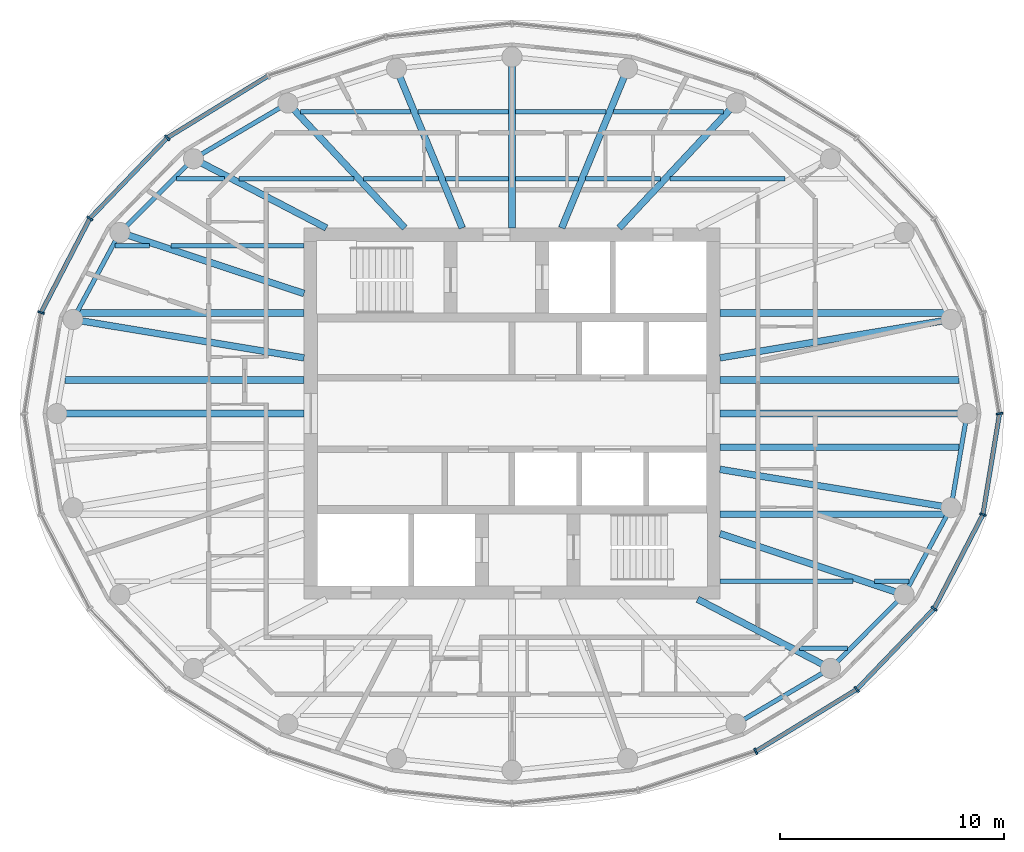
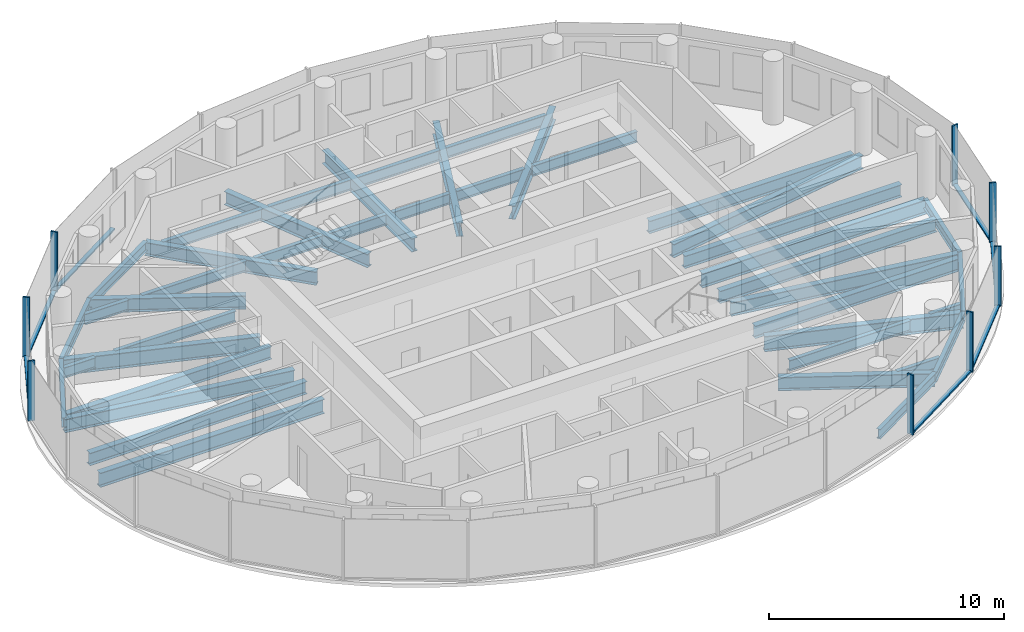
# One storey, part 2 of 11: 43 beams, 15 members, 3 elements without a shape of their own.
"""IFC4 building model written with IfcOpenShell, lengths in metres."""

from ifc_helpers import new_model, si_unit, direction, frame, origin, origin_2d, place, context, subcontext, project, spatial, rectangle, i_section, extrude, material, material_profile, profile_set, type_object, element, aggregate, save


model = new_model("IFC4")

# Units and contexts
model_context = context("Model", 3, precision=1e-05, world=origin(), true_north=direction((0.0, 1.0)))
body_context = subcontext(model_context, "Body", "Model", "MODEL_VIEW")
ifc_project = project(units=[si_unit("LENGTHUNIT", "METRE"), si_unit("AREAUNIT", "SQUARE_METRE"), si_unit("VOLUMEUNIT", "CUBIC_METRE"), si_unit("PLANEANGLEUNIT", "RADIAN"), si_unit("MASSUNIT", "GRAM", prefix="KILO")], contexts=[model_context])

# Site, building, storey
site_placement = place(None, origin())
site = spatial("IfcSite", under=ifc_project, at=site_placement, CompositionType="ELEMENT")
building_placement = place(site_placement, origin())
building = spatial("IfcBuilding", under=site, at=building_placement, Name="Hankou Lantern Tower", CompositionType="ELEMENT")
storey_placement = place(building_placement, frame((0.0, 0.0, 199.5)))
storey = spatial("IfcBuildingStorey", under=building, at=storey_placement, Name="L53", CompositionType="ELEMENT", Elevation=199.5)

# Beams
ifc_material_1 = material(Name="Steel Q355B", Category="steel")
ifc_material_profile_1 = material_profile(ifc_material_1, i_section(OverallWidth=0.199951171875, OverallDepth=0.5, WebThickness=0.010009765625, FlangeThickness=0.01611328125, FilletRadius=0.012939453125, at=origin_2d()), Name="HN500x200x10x16")
ifc_profile_set_1 = profile_set([ifc_material_profile_1], Name="Steel Q355B")
beam_type_1 = type_object("IfcBeamType", Name="EB5 RING BEAM HN500x200x10x16", PredefinedType="SPANDREL", material=ifc_profile_set_1)
beam_1_placement = place(storey_placement, frame((-10.01904296875, 13.8828125, -0.429931640625), z_axis=(-0.861422897323, -0.507888365655, 0.0), x_axis=(0.507888365655, -0.861422897323, 0.0)))
element("IfcBeam", 1, at=beam_1_placement, inside=storey, type_object=beam_type_1, Name="Ring beam R09-R10 L53", PredefinedType="SPANDREL", context=body_context, shape_type="SweptSolid", body=[
    extrude(i_section(OverallWidth=0.199951171875, OverallDepth=0.5, WebThickness=0.010009765625, FlangeThickness=0.01611328125, FilletRadius=0.012939453125, at=origin_2d()), origin(), (0.0, 0.0, 1.0), 4.901611328125),
])
beam_2_placement = place(storey_placement, frame((-14.241455078125, 11.393310546875, -0.429931640625), z_axis=(-0.706608588034, -0.707604623583, 0.0), x_axis=(0.707604623583, -0.706608588034, 0.0)))
element("IfcBeam", 2, at=beam_2_placement, inside=storey, type_object=beam_type_1, Name="Ring beam R10-R11 L53", PredefinedType="SPANDREL", context=body_context, shape_type="SweptSolid", body=[
    extrude(i_section(OverallWidth=0.199951171875, OverallDepth=0.5, WebThickness=0.010009765625, FlangeThickness=0.01611328125, FilletRadius=0.012939453125, at=origin_2d()), origin(), (0.0, 0.0, 1.0), 4.6572265625),
])
beam_3_placement = place(storey_placement, frame((-17.5322265625, 8.097900390625, -0.429931640625), z_axis=(-0.474491806611, -0.880259919262, 0.0), x_axis=(0.880259919262, -0.474491806611, 0.0)))
element("IfcBeam", 3, at=beam_3_placement, inside=storey, type_object=beam_type_1, Name="Ring beam R11-R12 L53", PredefinedType="SPANDREL", context=body_context, shape_type="SweptSolid", body=[
    extrude(i_section(OverallWidth=0.199951171875, OverallDepth=0.5, WebThickness=0.010009765625, FlangeThickness=0.01611328125, FilletRadius=0.012939453125, at=origin_2d()), origin(), (0.0, 0.0, 1.0), 4.419189453125),
])
beam_4_placement = place(storey_placement, frame((10.01904296875, -13.8828125, -0.429931640625), z_axis=(0.861422897323, 0.507888365655, 0.0), x_axis=(-0.507888365655, 0.861422897323, 0.0)))
element("IfcBeam", 4, at=beam_4_placement, inside=storey, type_object=beam_type_1, Name="Ring beam R21-R22 L53", PredefinedType="SPANDREL", context=body_context, shape_type="SweptSolid", body=[
    extrude(i_section(OverallWidth=0.199951171875, OverallDepth=0.5, WebThickness=0.010009765625, FlangeThickness=0.01611328125, FilletRadius=0.012939453125, at=origin_2d()), origin(), (0.0, 0.0, 1.0), 4.901611328125),
])
beam_5_placement = place(storey_placement, frame((14.241455078125, -11.393310546875, -0.429931640625), z_axis=(0.706608588034, 0.707604623583, 0.0), x_axis=(-0.707604623583, 0.706608588034, 0.0)))
element("IfcBeam", 5, at=beam_5_placement, inside=storey, type_object=beam_type_1, Name="Ring beam R22-R23 L53", PredefinedType="SPANDREL", context=body_context, shape_type="SweptSolid", body=[
    extrude(i_section(OverallWidth=0.199951171875, OverallDepth=0.5, WebThickness=0.010009765625, FlangeThickness=0.01611328125, FilletRadius=0.012939453125, at=origin_2d()), origin(), (0.0, 0.0, 1.0), 4.6572265625),
])
beam_6_placement = place(storey_placement, frame((17.5322265625, -8.097900390625, -0.429931640625), z_axis=(0.474491806611, 0.880259919262, 0.0), x_axis=(-0.880259919262, 0.474491806611, 0.0)))
element("IfcBeam", 6, at=beam_6_placement, inside=storey, type_object=beam_type_1, Name="Ring beam R23-R24 L53", PredefinedType="SPANDREL", context=body_context, shape_type="SweptSolid", body=[
    extrude(i_section(OverallWidth=0.199951171875, OverallDepth=0.5, WebThickness=0.010009765625, FlangeThickness=0.01611328125, FilletRadius=0.012939453125, at=origin_2d()), origin(), (0.0, 0.0, 1.0), 4.419189453125),
])
beam_7_placement = place(storey_placement, frame((19.629150390625, -4.207763671875, -0.429931640625), z_axis=(0.168876512999, 0.98563721691, 0.0), x_axis=(-0.98563721691, 0.168876512999, 0.0)))
element("IfcBeam", 7, at=beam_7_placement, inside=storey, type_object=beam_type_1, Name="Ring beam R24-R01 L53", PredefinedType="SPANDREL", context=body_context, shape_type="SweptSolid", body=[
    extrude(i_section(OverallWidth=0.199951171875, OverallDepth=0.5, WebThickness=0.010009765625, FlangeThickness=0.01611328125, FilletRadius=0.012939453125, at=origin_2d()), origin(), (0.0, 0.0, 1.0), 4.26904296875),
])

# Curtain wall, member
ifc_material_2 = material(Name="Glass, dark grey tinted laminated", Category="glass")
curtain_wall_type = type_object("IfcCurtainWallType", Name="CWD OUTER SKIN SUITE", PredefinedType="USERDEFINED", material=ifc_material_2)
curtain_wall_1_placement = place(storey_placement, origin())
curtain_wall_1 = element("IfcCurtainWall", 8, at=curtain_wall_1_placement, inside=storey, type_object=curtain_wall_type, Name="CWD L53 OS1", ObjectType="OUTER SKIN SUITE", PredefinedType="USERDEFINED")
ifc_material_3 = material(Name="Aluminium, black anodised", Category="aluminium")
ifc_material_profile_2 = material_profile(ifc_material_3, rectangle(XDim=0.080078125, YDim=0.300048828125, at=origin_2d()), Name="MU1 80X300")
ifc_profile_set_2 = profile_set([ifc_material_profile_2], Name="Aluminium, black anodised")
member_type_1 = type_object("IfcMemberType", Name="MU1 OUTER SKIN MULLION 80X300", PredefinedType="MULLION", material=ifc_profile_set_2)
member_1_placement = place(storey_placement, frame((21.800048828125, 0.0, 0.0), z_axis=(0.0, 0.0, 1.0), x_axis=(-0.162381515188, 0.986728049427, 0.0)))
member_1 = element("IfcMember", 9, at=member_1_placement, type_object=member_type_1, Name="CWD mullion 1", PredefinedType="MULLION", context=body_context, shape_type="SweptSolid", body=[
    extrude(rectangle(XDim=0.080078125, YDim=0.300048828125, at=origin_2d()), origin(), (0.0, 0.0, 1.0), 3.1201171875),
])
aggregate(curtain_wall_1, [member_1])

# Curtain wall, members
curtain_wall_2_placement = place(storey_placement, origin())
curtain_wall_2 = element("IfcCurtainWall", 10, at=curtain_wall_2_placement, inside=storey, type_object=curtain_wall_type, Name="CWD L53 OS2", ObjectType="OUTER SKIN SUITE", PredefinedType="USERDEFINED")
member_2_placement = place(storey_placement, frame((-15.4150390625, 12.33203125, 0.0), z_axis=(0.0, 0.0, 1.0), x_axis=(-0.780868809444, -0.624695047553, 0.0)))
member_2 = element("IfcMember", 11, at=member_2_placement, type_object=member_type_1, Name="CWD mullion 4", PredefinedType="MULLION", context=body_context, shape_type="SweptSolid", body=[
    extrude(rectangle(XDim=0.080078125, YDim=0.300048828125, at=origin_2d()), origin(), (0.0, 0.0, 1.0), 3.1201171875),
])
member_3_placement = place(storey_placement, frame((-18.87939453125, 8.719970703125, 0.0), z_axis=(0.0, 0.0, 1.0), x_axis=(-0.585205735974, -0.810884854084, 0.0)))
member_3 = element("IfcMember", 12, at=member_3_placement, type_object=member_type_1, Name="CWD mullion 5", PredefinedType="MULLION", context=body_context, shape_type="SweptSolid", body=[
    extrude(rectangle(XDim=0.080078125, YDim=0.300048828125, at=origin_2d()), origin(), (0.0, 0.0, 1.0), 3.1201171875),
])
member_4_placement = place(storey_placement, frame((-21.05712890625, 4.513916015625, 0.0), z_axis=(0.0, 0.0, 1.0), x_axis=(-0.317595577365, -0.94822626479, 0.0)))
member_4 = element("IfcMember", 13, at=member_4_placement, type_object=member_type_1, Name="CWD mullion 6", PredefinedType="MULLION", context=body_context, shape_type="SweptSolid", body=[
    extrude(rectangle(XDim=0.080078125, YDim=0.300048828125, at=origin_2d()), origin(), (0.0, 0.0, 1.0), 3.1201171875),
])

curtain_wall_3_placement = place(storey_placement, origin())
curtain_wall_3 = element("IfcCurtainWall", 14, at=curtain_wall_3_placement, inside=storey, type_object=curtain_wall_type, Name="CWD L53 OS4", ObjectType="OUTER SKIN SUITE", PredefinedType="USERDEFINED")
member_5_placement = place(storey_placement, frame((10.89990234375, -15.103515625, 0.0), z_axis=(0.0, 0.0, 1.0), x_axis=(0.907841299004, 0.419313934686, 0.0)))
member_5 = element("IfcMember", 15, at=member_5_placement, type_object=member_type_1, Name="CWD mullion 3", PredefinedType="MULLION", context=body_context, shape_type="SweptSolid", body=[
    extrude(rectangle(XDim=0.080078125, YDim=0.300048828125, at=origin_2d()), origin(), (0.0, 0.0, 1.0), 3.1201171875),
])
member_6_placement = place(storey_placement, frame((15.4150390625, -12.33203125, 0.0), z_axis=(0.0, 0.0, 1.0), x_axis=(0.780868809444, 0.624695047553, 0.0)))
member_6 = element("IfcMember", 16, at=member_6_placement, type_object=member_type_1, Name="CWD mullion 4", PredefinedType="MULLION", context=body_context, shape_type="SweptSolid", body=[
    extrude(rectangle(XDim=0.080078125, YDim=0.300048828125, at=origin_2d()), origin(), (0.0, 0.0, 1.0), 3.1201171875),
])
member_7_placement = place(storey_placement, frame((18.87939453125, -8.719970703125, 0.0), z_axis=(0.0, 0.0, 1.0), x_axis=(0.585205735974, 0.810884854084, 0.0)))
member_7 = element("IfcMember", 17, at=member_7_placement, type_object=member_type_1, Name="CWD mullion 5", PredefinedType="MULLION", context=body_context, shape_type="SweptSolid", body=[
    extrude(rectangle(XDim=0.080078125, YDim=0.300048828125, at=origin_2d()), origin(), (0.0, 0.0, 1.0), 3.1201171875),
])
member_8_placement = place(storey_placement, frame((21.05712890625, -4.513916015625, 0.0), z_axis=(0.0, 0.0, 1.0), x_axis=(0.317595577365, 0.94822626479, 0.0)))
member_8 = element("IfcMember", 18, at=member_8_placement, type_object=member_type_1, Name="CWD mullion 6", PredefinedType="MULLION", context=body_context, shape_type="SweptSolid", body=[
    extrude(rectangle(XDim=0.080078125, YDim=0.300048828125, at=origin_2d()), origin(), (0.0, 0.0, 1.0), 3.1201171875),
])

# Beams
ifc_material_4 = material(Name="Steel Q355B", Category="steel")
ifc_material_profile_3 = material_profile(ifc_material_4, i_section(OverallWidth=0.300048828125, OverallDepth=0.75, WebThickness=0.012939453125, FlangeThickness=0.02392578125, FilletRadius=0.01806640625, at=origin_2d()), Name="HN750x300x13x24")
ifc_profile_set_3 = profile_set([ifc_material_profile_3], Name="Steel Q355B")
beam_type_2 = type_object("IfcBeamType", Name="RB10 RADIAL BEAM HN750x300x13x24", PredefinedType="BEAM", material=ifc_profile_set_3)
for number, where, z_axis, x_axis, name in (
    (19, (9.300048828125, 0.0, -0.554931640625), (1.0, 0.0, 0.0), (0.0, 1.0, 0.0), "Radial beam R01 L53"),
    (20, (-9.300048828125, 0.0, -0.554931640625), (-1.0, 0.0, 0.0), (0.0, -1.0, 0.0), "Radial beam R13 L53"),
):
    element("IfcBeam", number, at=place(storey_placement, frame(where, z_axis=z_axis, x_axis=x_axis)), inside=storey, type_object=beam_type_2, Name=name, PredefinedType="BEAM", context=body_context, shape_type="SweptSolid", body=[
        extrude(i_section(OverallWidth=0.300048828125, OverallDepth=0.75, WebThickness=0.012939453125, FlangeThickness=0.02392578125, FilletRadius=0.01806640625, at=origin_2d()), origin(), (0.0, 0.0, 1.0), 11.050048828125),
    ])
ifc_material_5 = material(Name="Steel Q355B", Category="steel")
ifc_material_profile_4 = material_profile(ifc_material_5, i_section(OverallWidth=0.300048828125, OverallDepth=0.800048828125, WebThickness=0.013916015625, FlangeThickness=0.02587890625, FilletRadius=0.01806640625, at=origin_2d()), Name="HN800x300x14x26")
ifc_profile_set_4 = profile_set([ifc_material_profile_4], Name="Steel Q355B")
beam_type_3 = type_object("IfcBeamType", Name="RB11 RADIAL BEAM HN800x300x14x26", PredefinedType="BEAM", material=ifc_profile_set_4)
for number, where, z_axis, x_axis, name in (
    (21, (-9.300048828125, 5.369384765625, -0.580078125), (-0.949219608576, 0.314614263337, 0.0), (-0.314614263337, -0.949219608576, 0.0), "Radial beam R11 L53"),
    (22, (9.300048828125, -5.369384765625, -0.580078125), (0.949219608576, -0.314614263337, 0.0), (0.314614263337, 0.949219608576, 0.0), "Radial beam R23 L53"),
):
    element("IfcBeam", number, at=place(storey_placement, frame(where, z_axis=z_axis, x_axis=x_axis)), inside=storey, type_object=beam_type_3, Name=name, PredefinedType="BEAM", context=body_context, shape_type="SweptSolid", body=[
        extrude(i_section(OverallWidth=0.300048828125, OverallDepth=0.800048828125, WebThickness=0.013916015625, FlangeThickness=0.02587890625, FilletRadius=0.01806640625, at=origin_2d()), origin(), (0.0, 0.0, 1.0), 8.672607421875),
    ])
ifc_material_6 = material(Name="Steel Q355B", Category="steel")
ifc_material_profile_5 = material_profile(ifc_material_6, i_section(OverallWidth=0.300048828125, OverallDepth=0.699951171875, WebThickness=0.012939453125, FlangeThickness=0.02392578125, FilletRadius=0.01806640625, at=origin_2d()), Name="HN700x300x13x24")
ifc_profile_set_5 = profile_set([ifc_material_profile_5], Name="Steel Q355B")
beam_type_4 = type_object("IfcBeamType", Name="RB9 RADIAL BEAM HN700x300x13x24", PredefinedType="BEAM", material=ifc_profile_set_5)
beam_8_placement = place(storey_placement, frame((9.300048828125, 2.491943359375, -0.530029296875), z_axis=(0.986482007061, 0.163869612027, 0.0), x_axis=(-0.163869612027, 0.986482007061, 0.0)))
element("IfcBeam", 23, at=beam_8_placement, inside=storey, type_object=beam_type_4, Name="Radial beam R02 L53", PredefinedType="BEAM", context=body_context, shape_type="SweptSolid", body=[
    extrude(i_section(OverallWidth=0.300048828125, OverallDepth=0.699951171875, WebThickness=0.012939453125, FlangeThickness=0.02392578125, FilletRadius=0.01806640625, at=origin_2d()), origin(), (0.0, 0.0, 1.0), 10.470703125),
])
beam_9_placement = place(storey_placement, frame((4.7919921875, 8.300048828125, -0.530029296875), z_axis=(0.68346844743, 0.729980055459, 0.0), x_axis=(-0.729980055459, 0.68346844743, 0.0)))
element("IfcBeam", 24, at=beam_9_placement, inside=storey, type_object=beam_type_4, Name="Radial beam R05 L53", PredefinedType="BEAM", context=body_context, shape_type="SweptSolid", body=[
    extrude(i_section(OverallWidth=0.300048828125, OverallDepth=0.699951171875, WebThickness=0.012939453125, FlangeThickness=0.02392578125, FilletRadius=0.01806640625, at=origin_2d()), origin(), (0.0, 0.0, 1.0), 7.64794921875),
])
beam_10_placement = place(storey_placement, frame((2.223876953125, 8.300048828125, -0.530029296875), z_axis=(0.381706648123, 0.924283525104, 0.0), x_axis=(-0.924283525104, 0.381706648123, 0.0)))
element("IfcBeam", 25, at=beam_10_placement, inside=storey, type_object=beam_type_4, Name="Radial beam R06 L53", PredefinedType="BEAM", context=body_context, shape_type="SweptSolid", body=[
    extrude(i_section(OverallWidth=0.300048828125, OverallDepth=0.699951171875, WebThickness=0.012939453125, FlangeThickness=0.02392578125, FilletRadius=0.01806640625, at=origin_2d()), origin(), (0.0, 0.0, 1.0), 7.7109375),
])
beam_11_placement = place(storey_placement, frame((0.0, 8.300048828125, -0.530029296875), z_axis=(0.0, 1.0, 0.0), x_axis=(-1.0, 0.0, 0.0)))
element("IfcBeam", 26, at=beam_11_placement, inside=storey, type_object=beam_type_4, Name="Radial beam R07 L53", PredefinedType="BEAM", context=body_context, shape_type="SweptSolid", body=[
    extrude(i_section(OverallWidth=0.300048828125, OverallDepth=0.699951171875, WebThickness=0.012939453125, FlangeThickness=0.02392578125, FilletRadius=0.01806640625, at=origin_2d()), origin(), (0.0, 0.0, 1.0), 7.64990234375),
])
beam_12_placement = place(storey_placement, frame((-2.223876953125, 8.300048828125, -0.530029296875), z_axis=(-0.381706648123, 0.924283525104, 0.0), x_axis=(-0.924283525104, -0.381706648123, 0.0)))
element("IfcBeam", 27, at=beam_12_placement, inside=storey, type_object=beam_type_4, Name="Radial beam R08 L53", PredefinedType="BEAM", context=body_context, shape_type="SweptSolid", body=[
    extrude(i_section(OverallWidth=0.300048828125, OverallDepth=0.699951171875, WebThickness=0.012939453125, FlangeThickness=0.02392578125, FilletRadius=0.01806640625, at=origin_2d()), origin(), (0.0, 0.0, 1.0), 7.7109375),
])
beam_13_placement = place(storey_placement, frame((-4.7919921875, 8.300048828125, -0.530029296875), z_axis=(-0.68346844743, 0.729980055459, 0.0), x_axis=(-0.729980055459, -0.68346844743, 0.0)))
element("IfcBeam", 28, at=beam_13_placement, inside=storey, type_object=beam_type_4, Name="Radial beam R09 L53", PredefinedType="BEAM", context=body_context, shape_type="SweptSolid", body=[
    extrude(i_section(OverallWidth=0.300048828125, OverallDepth=0.699951171875, WebThickness=0.012939453125, FlangeThickness=0.02392578125, FilletRadius=0.01806640625, at=origin_2d()), origin(), (0.0, 0.0, 1.0), 7.64794921875),
])
beam_14_placement = place(storey_placement, frame((-8.300048828125, 8.300048828125, -0.530029296875), z_axis=(-0.886988734783, 0.461791061378, 0.0), x_axis=(-0.461791061378, -0.886988734783, 0.0)))
element("IfcBeam", 29, at=beam_14_placement, inside=storey, type_object=beam_type_4, Name="Radial beam R10 L53", PredefinedType="BEAM", context=body_context, shape_type="SweptSolid", body=[
    extrude(i_section(OverallWidth=0.300048828125, OverallDepth=0.699951171875, WebThickness=0.012939453125, FlangeThickness=0.02392578125, FilletRadius=0.01806640625, at=origin_2d()), origin(), (0.0, 0.0, 1.0), 6.698486328125),
])
beam_15_placement = place(storey_placement, frame((-9.300048828125, 2.491943359375, -0.530029296875), z_axis=(-0.986482007061, 0.163869612027, 0.0), x_axis=(-0.163869612027, -0.986482007061, 0.0)))
element("IfcBeam", 30, at=beam_15_placement, inside=storey, type_object=beam_type_4, Name="Radial beam R12 L53", PredefinedType="BEAM", context=body_context, shape_type="SweptSolid", body=[
    extrude(i_section(OverallWidth=0.300048828125, OverallDepth=0.699951171875, WebThickness=0.012939453125, FlangeThickness=0.02392578125, FilletRadius=0.01806640625, at=origin_2d()), origin(), (0.0, 0.0, 1.0), 10.470703125),
])
beam_16_placement = place(storey_placement, frame((8.300048828125, -8.300048828125, -0.530029296875), z_axis=(0.886988734783, -0.461791061378, 0.0), x_axis=(0.461791061378, 0.886988734783, 0.0)))
element("IfcBeam", 31, at=beam_16_placement, inside=storey, type_object=beam_type_4, Name="Radial beam R22 L53", PredefinedType="BEAM", context=body_context, shape_type="SweptSolid", body=[
    extrude(i_section(OverallWidth=0.300048828125, OverallDepth=0.699951171875, WebThickness=0.012939453125, FlangeThickness=0.02392578125, FilletRadius=0.01806640625, at=origin_2d()), origin(), (0.0, 0.0, 1.0), 6.698486328125),
])
beam_17_placement = place(storey_placement, frame((9.300048828125, -2.491943359375, -0.530029296875), z_axis=(0.986482007061, -0.163869612027, 0.0), x_axis=(0.163869612027, 0.986482007061, 0.0)))
element("IfcBeam", 32, at=beam_17_placement, inside=storey, type_object=beam_type_4, Name="Radial beam R24 L53", PredefinedType="BEAM", context=body_context, shape_type="SweptSolid", body=[
    extrude(i_section(OverallWidth=0.300048828125, OverallDepth=0.699951171875, WebThickness=0.012939453125, FlangeThickness=0.02392578125, FilletRadius=0.01806640625, at=origin_2d()), origin(), (0.0, 0.0, 1.0), 10.470703125),
])
ifc_material_7 = material(Name="Steel Q355B", Category="steel")
ifc_material_profile_6 = material_profile(ifc_material_7, i_section(OverallWidth=0.199951171875, OverallDepth=0.550048828125, WebThickness=0.010009765625, FlangeThickness=0.01611328125, FilletRadius=0.012939453125, at=origin_2d()), Name="HN550x200x10x16")
ifc_profile_set_6 = profile_set([ifc_material_profile_6], Name="Steel Q355B")
beam_type_5 = type_object("IfcBeamType", Name="SB6 SECONDARY BEAM HN550x200x10x16", PredefinedType="JOIST", material=ifc_profile_set_6)
beam_18_placement = place(storey_placement, frame((12.8505859375, -10.5, -0.455078125), z_axis=(1.0, 0.0, 0.0), x_axis=(0.0, 1.0, 0.0)))
element("IfcBeam", 33, at=beam_18_placement, inside=storey, type_object=beam_type_5, Name="Floor joist J012 L53", PredefinedType="JOIST", context=body_context, shape_type="SweptSolid", body=[
    extrude(i_section(OverallWidth=0.199951171875, OverallDepth=0.550048828125, WebThickness=0.010009765625, FlangeThickness=0.01611328125, FilletRadius=0.012939453125, at=origin_2d()), origin(), (0.0, 0.0, 1.0), 2.1416015625),
])
beam_19_placement = place(storey_placement, frame((9.300048828125, -7.5, -0.455078125), z_axis=(1.0, 0.0, 0.0), x_axis=(0.0, 1.0, 0.0)))
element("IfcBeam", 34, at=beam_19_placement, inside=storey, type_object=beam_type_5, Name="Floor joist J015 L53", PredefinedType="JOIST", context=body_context, shape_type="SweptSolid", body=[
    extrude(i_section(OverallWidth=0.199951171875, OverallDepth=0.550048828125, WebThickness=0.010009765625, FlangeThickness=0.01611328125, FilletRadius=0.012939453125, at=origin_2d()), origin(), (0.0, 0.0, 1.0), 5.95166015625),
])
for number, where, z_axis, x_axis, name in (
    (35, (16.205322265625, -7.5, -0.455078125), (1.0, 0.0, 0.0), (0.0, 1.0, 0.0), "Floor joist J016 L53"),
    (36, (-17.740966796875, 7.5, -0.455078125), (1.0, 0.0, 0.0), (0.0, 1.0, 0.0), "Floor joist J025 L53"),
):
    element("IfcBeam", number, at=place(storey_placement, frame(where, z_axis=z_axis, x_axis=x_axis)), inside=storey, type_object=beam_type_5, Name=name, PredefinedType="JOIST", context=body_context, shape_type="SweptSolid", body=[
        extrude(i_section(OverallWidth=0.199951171875, OverallDepth=0.550048828125, WebThickness=0.010009765625, FlangeThickness=0.01611328125, FilletRadius=0.012939453125, at=origin_2d()), origin(), (0.0, 0.0, 1.0), 1.53564453125),
    ])
beam_20_placement = place(storey_placement, frame((-15.251708984375, 7.5, -0.455078125), z_axis=(1.0, 0.0, 0.0), x_axis=(0.0, 1.0, 0.0)))
element("IfcBeam", 37, at=beam_20_placement, inside=storey, type_object=beam_type_5, Name="Floor joist J026 L53", PredefinedType="JOIST", context=body_context, shape_type="SweptSolid", body=[
    extrude(i_section(OverallWidth=0.199951171875, OverallDepth=0.550048828125, WebThickness=0.010009765625, FlangeThickness=0.01611328125, FilletRadius=0.012939453125, at=origin_2d()), origin(), (0.0, 0.0, 1.0), 5.95166015625),
])
beam_21_placement = place(storey_placement, frame((-14.9921875, 10.5, -0.455078125), z_axis=(1.0, 0.0, 0.0), x_axis=(0.0, 1.0, 0.0)))
element("IfcBeam", 38, at=beam_21_placement, inside=storey, type_object=beam_type_5, Name="Floor joist J029 L53", PredefinedType="JOIST", context=body_context, shape_type="SweptSolid", body=[
    extrude(i_section(OverallWidth=0.199951171875, OverallDepth=0.550048828125, WebThickness=0.010009765625, FlangeThickness=0.01611328125, FilletRadius=0.012939453125, at=origin_2d()), origin(), (0.0, 0.0, 1.0), 2.1416015625),
])
beam_22_placement = place(storey_placement, frame((-12.200927734375, 10.5, -0.455078125), z_axis=(1.0, 0.0, 0.0), x_axis=(0.0, 1.0, 0.0)))
element("IfcBeam", 39, at=beam_22_placement, inside=storey, type_object=beam_type_5, Name="Floor joist J030 L53", PredefinedType="JOIST", context=body_context, shape_type="SweptSolid", body=[
    extrude(i_section(OverallWidth=0.199951171875, OverallDepth=0.550048828125, WebThickness=0.010009765625, FlangeThickness=0.01611328125, FilletRadius=0.012939453125, at=origin_2d()), origin(), (0.0, 0.0, 1.0), 5.1435546875),
])
beam_23_placement = place(storey_placement, frame((-6.646240234375, 10.5, -0.455078125), z_axis=(1.0, 0.0, 0.0), x_axis=(0.0, 1.0, 0.0)))
element("IfcBeam", 40, at=beam_23_placement, inside=storey, type_object=beam_type_5, Name="Floor joist J031 L53", PredefinedType="JOIST", context=body_context, shape_type="SweptSolid", body=[
    extrude(i_section(OverallWidth=0.199951171875, OverallDepth=0.550048828125, WebThickness=0.010009765625, FlangeThickness=0.01611328125, FilletRadius=0.012939453125, at=origin_2d()), origin(), (0.0, 0.0, 1.0), 3.3515625),
])
for number, where, z_axis, x_axis, name in (
    (41, (-2.97021484375, 10.5, -0.455078125), (1.0, 0.0, 0.0), (0.0, 1.0, 0.0), "Floor joist J032 L53"),
    (42, (0.14990234375, 10.5, -0.455078125), (1.0, 0.0, 0.0), (0.0, 1.0, 0.0), "Floor joist J033 L53"),
):
    element("IfcBeam", number, at=place(storey_placement, frame(where, z_axis=z_axis, x_axis=x_axis)), inside=storey, type_object=beam_type_5, Name=name, PredefinedType="JOIST", context=body_context, shape_type="SweptSolid", body=[
        extrude(i_section(OverallWidth=0.199951171875, OverallDepth=0.550048828125, WebThickness=0.010009765625, FlangeThickness=0.01611328125, FilletRadius=0.012939453125, at=origin_2d()), origin(), (0.0, 0.0, 1.0), 2.8203125),
    ])
beam_24_placement = place(storey_placement, frame((3.294677734375, 10.5, -0.455078125), z_axis=(1.0, 0.0, 0.0), x_axis=(0.0, 1.0, 0.0)))
element("IfcBeam", 43, at=beam_24_placement, inside=storey, type_object=beam_type_5, Name="Floor joist J034 L53", PredefinedType="JOIST", context=body_context, shape_type="SweptSolid", body=[
    extrude(i_section(OverallWidth=0.199951171875, OverallDepth=0.550048828125, WebThickness=0.010009765625, FlangeThickness=0.01611328125, FilletRadius=0.012939453125, at=origin_2d()), origin(), (0.0, 0.0, 1.0), 3.3515625),
])
beam_25_placement = place(storey_placement, frame((7.057373046875, 10.5, -0.455078125), z_axis=(1.0, 0.0, 0.0), x_axis=(0.0, 1.0, 0.0)))
element("IfcBeam", 44, at=beam_25_placement, inside=storey, type_object=beam_type_5, Name="Floor joist J035 L53", PredefinedType="JOIST", context=body_context, shape_type="SweptSolid", body=[
    extrude(i_section(OverallWidth=0.199951171875, OverallDepth=0.550048828125, WebThickness=0.010009765625, FlangeThickness=0.01611328125, FilletRadius=0.012939453125, at=origin_2d()), origin(), (0.0, 0.0, 1.0), 5.1435546875),
])
beam_26_placement = place(storey_placement, frame((-9.455078125, 13.5, -0.455078125), z_axis=(1.0, 0.0, 0.0), x_axis=(0.0, 1.0, 0.0)))
element("IfcBeam", 45, at=beam_26_placement, inside=storey, type_object=beam_type_5, Name="Floor joist J037 L53", PredefinedType="JOIST", context=body_context, shape_type="SweptSolid", body=[
    extrude(i_section(OverallWidth=0.199951171875, OverallDepth=0.550048828125, WebThickness=0.010009765625, FlangeThickness=0.01611328125, FilletRadius=0.012939453125, at=origin_2d()), origin(), (0.0, 0.0, 1.0), 4.92138671875),
])
for number, where, z_axis, x_axis, name in (
    (46, (-4.208984375, 13.5, -0.455078125), (1.0, 0.0, 0.0), (0.0, 1.0, 0.0), "Floor joist J038 L53"),
    (47, (0.14990234375, 13.5, -0.455078125), (1.0, 0.0, 0.0), (0.0, 1.0, 0.0), "Floor joist J039 L53"),
):
    element("IfcBeam", number, at=place(storey_placement, frame(where, z_axis=z_axis, x_axis=x_axis)), inside=storey, type_object=beam_type_5, Name=name, PredefinedType="JOIST", context=body_context, shape_type="SweptSolid", body=[
        extrude(i_section(OverallWidth=0.199951171875, OverallDepth=0.550048828125, WebThickness=0.010009765625, FlangeThickness=0.01611328125, FilletRadius=0.012939453125, at=origin_2d()), origin(), (0.0, 0.0, 1.0), 4.05908203125),
    ])
beam_27_placement = place(storey_placement, frame((4.53369140625, 13.5, -0.455078125), z_axis=(1.0, 0.0, 0.0), x_axis=(0.0, 1.0, 0.0)))
element("IfcBeam", 48, at=beam_27_placement, inside=storey, type_object=beam_type_5, Name="Floor joist J040 L53", PredefinedType="JOIST", context=body_context, shape_type="SweptSolid", body=[
    extrude(i_section(OverallWidth=0.199951171875, OverallDepth=0.550048828125, WebThickness=0.010009765625, FlangeThickness=0.01611328125, FilletRadius=0.012939453125, at=origin_2d()), origin(), (0.0, 0.0, 1.0), 4.92138671875),
])
ifc_material_8 = material(Name="Steel Q355B", Category="steel")
ifc_material_profile_7 = material_profile(ifc_material_8, i_section(OverallWidth=0.300048828125, OverallDepth=0.64990234375, WebThickness=0.010986328125, FlangeThickness=0.01708984375, FilletRadius=0.01806640625, at=origin_2d()), Name="HN650x300x11x17")
ifc_profile_set_7 = profile_set([ifc_material_profile_7], Name="Steel Q355B")
beam_type_6 = type_object("IfcBeamType", Name="SB8 SECONDARY BEAM HN650x300x11x17", PredefinedType="JOIST", material=ifc_profile_set_7)
beam_28_placement = place(storey_placement, frame((9.300048828125, -4.5, -0.5048828125), z_axis=(1.0, 0.0, 0.0), x_axis=(0.0, 1.0, 0.0)))
element("IfcBeam", 49, at=beam_28_placement, inside=storey, type_object=beam_type_6, Name="Floor joist J018 L53", PredefinedType="JOIST", context=body_context, shape_type="SweptSolid", body=[
    extrude(i_section(OverallWidth=0.300048828125, OverallDepth=0.64990234375, WebThickness=0.010986328125, FlangeThickness=0.01708984375, FilletRadius=0.01806640625, at=origin_2d()), origin(), (0.0, 0.0, 1.0), 10.057861328125),
])
for number, where, z_axis, x_axis, name in (
    (50, (9.300048828125, -1.5, -0.5048828125), (1.0, 0.0, 0.0), (0.0, 1.0, 0.0), "Floor joist J020 L53"),
    (51, (-19.991455078125, 1.5, -0.5048828125), (1.0, 0.0, 0.0), (0.0, 1.0, 0.0), "Floor joist J021 L53"),
    (52, (9.300048828125, 1.5, -0.5048828125), (1.0, 0.0, 0.0), (0.0, 1.0, 0.0), "Floor joist J022 L53"),
):
    element("IfcBeam", number, at=place(storey_placement, frame(where, z_axis=z_axis, x_axis=x_axis)), inside=storey, type_object=beam_type_6, Name=name, PredefinedType="JOIST", context=body_context, shape_type="SweptSolid", body=[
        extrude(i_section(OverallWidth=0.300048828125, OverallDepth=0.64990234375, WebThickness=0.010986328125, FlangeThickness=0.01708984375, FilletRadius=0.01806640625, at=origin_2d()), origin(), (0.0, 0.0, 1.0), 10.69140625),
    ])
for number, where, z_axis, x_axis, name in (
    (53, (-19.35791015625, 4.5, -0.5048828125), (1.0, 0.0, 0.0), (0.0, 1.0, 0.0), "Floor joist J023 L53"),
    (54, (9.300048828125, 4.5, -0.5048828125), (1.0, 0.0, 0.0), (0.0, 1.0, 0.0), "Floor joist J024 L53"),
):
    element("IfcBeam", number, at=place(storey_placement, frame(where, z_axis=z_axis, x_axis=x_axis)), inside=storey, type_object=beam_type_6, Name=name, PredefinedType="JOIST", context=body_context, shape_type="SweptSolid", body=[
        extrude(i_section(OverallWidth=0.300048828125, OverallDepth=0.64990234375, WebThickness=0.010986328125, FlangeThickness=0.01708984375, FilletRadius=0.01806640625, at=origin_2d()), origin(), (0.0, 0.0, 1.0), 10.057861328125),
    ])

# Member
ifc_material_9 = material(Name="Aluminium, black anodised", Category="aluminium")
ifc_material_profile_8 = material_profile(ifc_material_9, rectangle(XDim=0.199951171875, YDim=0.080078125, at=origin_2d()), Name="TR1 200X80")
ifc_profile_set_8 = profile_set([ifc_material_profile_8], Name="Aluminium, black anodised")
member_type_2 = type_object("IfcMemberType", Name="TR1 OUTER SKIN TRANSOM 200X80", PredefinedType="USERDEFINED", material=ifc_profile_set_8)
member_9_placement = place(storey_placement, frame((-10.93408203125, 15.08251953125, 0.0400390625), z_axis=(-0.852234544008, -0.523159900986, 0.0), x_axis=(0.523159900986, -0.852234544008, 0.0)))
member_9 = element("IfcMember", 55, at=member_9_placement, type_object=member_type_2, Name="CWD transom 3", ObjectType="TRANSOM", PredefinedType="USERDEFINED", context=body_context, shape_type="SweptSolid", body=[
    extrude(rectangle(XDim=0.199951171875, YDim=0.080078125, at=origin_2d()), origin(), (0.0, 0.0, 1.0), 5.2177734375),
])

member_10_placement = place(storey_placement, frame((-15.442626953125, 12.302978515625, 0.0400390625), z_axis=(-0.692204633274, -0.721701285626, 0.0), x_axis=(0.721701285626, -0.692204633274, 0.0)))
member_10 = element("IfcMember", 56, at=member_10_placement, type_object=member_type_2, Name="CWD transom 4", ObjectType="TRANSOM", PredefinedType="USERDEFINED", context=body_context, shape_type="SweptSolid", body=[
    extrude(rectangle(XDim=0.199951171875, YDim=0.080078125, at=origin_2d()), origin(), (0.0, 0.0, 1.0), 4.9248046875),
])

member_11_placement = place(storey_placement, frame((-18.897705078125, 8.6845703125, 0.0400390625), z_axis=(-0.45979371115, -0.888025755925, 0.0), x_axis=(0.888025755925, -0.45979371115, 0.0)))
member_11 = element("IfcMember", 57, at=member_11_placement, type_object=member_type_2, Name="CWD transom 5", ObjectType="TRANSOM", PredefinedType="USERDEFINED", context=body_context, shape_type="SweptSolid", body=[
    extrude(rectangle(XDim=0.199951171875, YDim=0.080078125, at=origin_2d()), origin(), (0.0, 0.0, 1.0), 4.65673828125),
])

aggregate(curtain_wall_2, [member_2, member_3, member_4, member_9, member_10, member_11])

member_12_placement = place(storey_placement, frame((10.93408203125, -15.08251953125, 0.0400390625), z_axis=(0.852234544008, 0.523159900986, 0.0), x_axis=(-0.523159900986, 0.852234544008, 0.0)))
member_12 = element("IfcMember", 58, at=member_12_placement, type_object=member_type_2, Name="CWD transom 3", ObjectType="TRANSOM", PredefinedType="USERDEFINED", context=body_context, shape_type="SweptSolid", body=[
    extrude(rectangle(XDim=0.199951171875, YDim=0.080078125, at=origin_2d()), origin(), (0.0, 0.0, 1.0), 5.2177734375),
])

member_13_placement = place(storey_placement, frame((15.442626953125, -12.302978515625, 0.0400390625), z_axis=(0.692204633274, 0.721701285626, 0.0), x_axis=(-0.721701285626, 0.692204633274, 0.0)))
member_13 = element("IfcMember", 59, at=member_13_placement, type_object=member_type_2, Name="CWD transom 4", ObjectType="TRANSOM", PredefinedType="USERDEFINED", context=body_context, shape_type="SweptSolid", body=[
    extrude(rectangle(XDim=0.199951171875, YDim=0.080078125, at=origin_2d()), origin(), (0.0, 0.0, 1.0), 4.9248046875),
])

member_14_placement = place(storey_placement, frame((18.897705078125, -8.6845703125, 0.0400390625), z_axis=(0.45979371115, 0.888025755925, 0.0), x_axis=(-0.888025755925, 0.45979371115, 0.0)))
member_14 = element("IfcMember", 60, at=member_14_placement, type_object=member_type_2, Name="CWD transom 5", ObjectType="TRANSOM", PredefinedType="USERDEFINED", context=body_context, shape_type="SweptSolid", body=[
    extrude(rectangle(XDim=0.199951171875, YDim=0.080078125, at=origin_2d()), origin(), (0.0, 0.0, 1.0), 4.65673828125),
])

member_15_placement = place(storey_placement, frame((21.063720703125, -4.474365234375, 0.0400390625), z_axis=(0.162363822839, 0.986730960816, 0.0), x_axis=(-0.986730960816, 0.162363822839, 0.0)))
member_15 = element("IfcMember", 61, at=member_15_placement, type_object=member_type_2, Name="CWD transom 6", ObjectType="TRANSOM", PredefinedType="USERDEFINED", context=body_context, shape_type="SweptSolid", body=[
    extrude(rectangle(XDim=0.199951171875, YDim=0.080078125, at=origin_2d()), origin(), (0.0, 0.0, 1.0), 4.494384765625),
])

aggregate(curtain_wall_3, [member_5, member_6, member_7, member_8, member_12, member_13, member_14, member_15])

save(model, "model.ifc")
